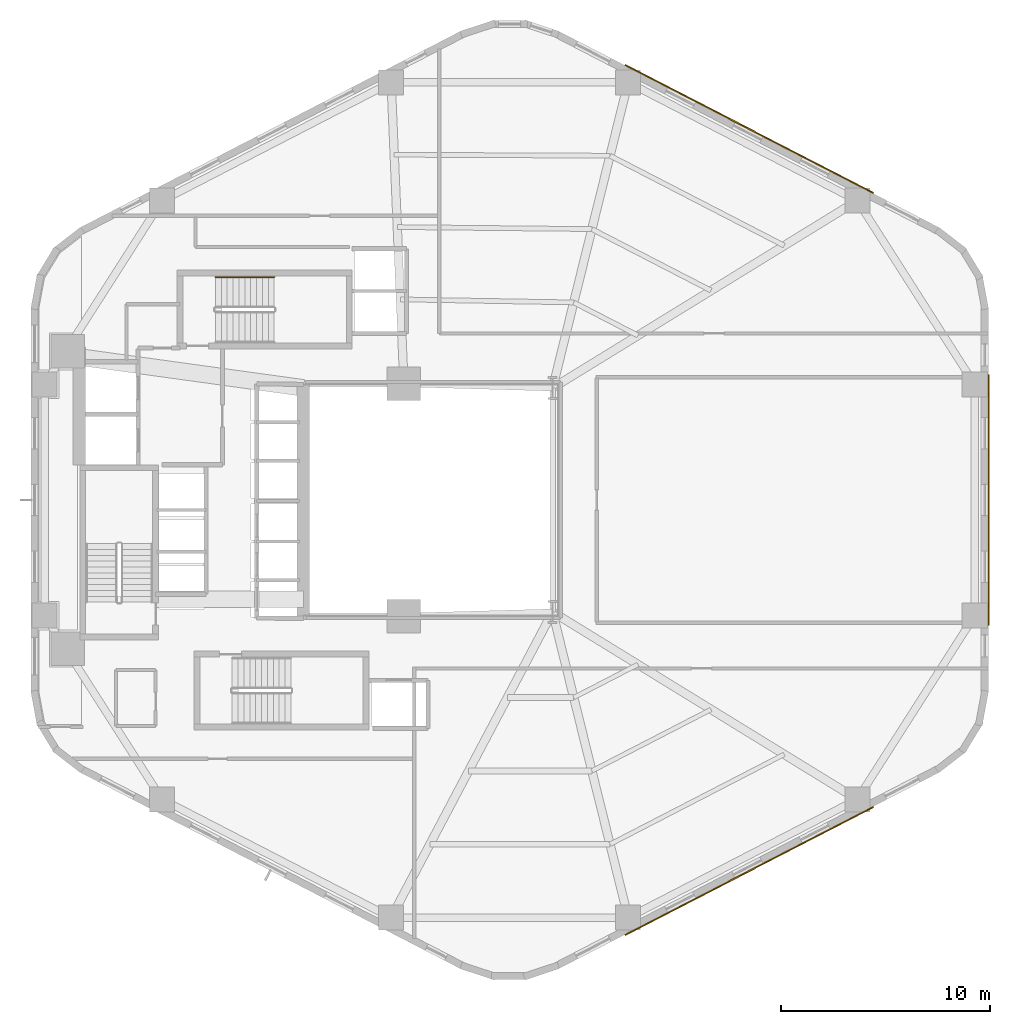
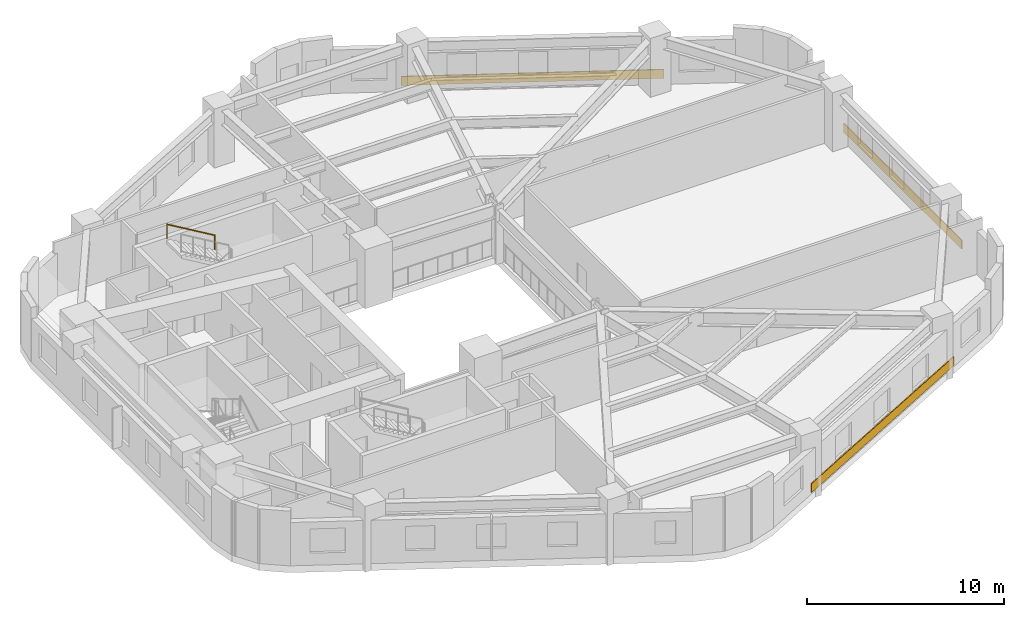
# One storey, part 7 of 7: 3 coverings, 1 railing.
"""IFC4 building model written with IfcOpenShell, lengths in metres."""

from ifc_helpers import new_model, si_unit, direction, frame, origin, origin_2d, place, context, subcontext, project, spatial, rectangle, circle, extrude, material, layer, layer_set, type_object, element, save


model = new_model("IFC4")

# Units and contexts
model_context = context("Model", 3, precision=1e-05, world=origin(), true_north=direction((0.0, 1.0)))
body_context = subcontext(model_context, "Body", "Model", "MODEL_VIEW")
ifc_project = project(units=[si_unit("LENGTHUNIT", "METRE"), si_unit("AREAUNIT", "SQUARE_METRE"), si_unit("VOLUMEUNIT", "CUBIC_METRE"), si_unit("PLANEANGLEUNIT", "RADIAN"), si_unit("MASSUNIT", "GRAM", prefix="KILO"), si_unit("THERMODYNAMICTEMPERATUREUNIT", "KELVIN"), si_unit("POWERUNIT", "WATT")], contexts=[model_context])

# Site, building, storey
site_placement = place(None, origin())
site = spatial("IfcSite", under=ifc_project, at=site_placement, CompositionType="ELEMENT")
building_placement = place(site_placement, origin())
building = spatial("IfcBuilding", under=site, at=building_placement, Name="Skarre Station Tower", CompositionType="ELEMENT")
storey_placement = place(building_placement, frame((0.0, 0.0, 27.0)))
storey = spatial("IfcBuildingStorey", under=building, at=storey_placement, Name="L06", CompositionType="ELEMENT", Elevation=27.0)

# Railing
ifc_material_1 = material(Name="Powder-Coated Tubular Steel", Category="steel")
railing_type = type_object("IfcRailingType", Name="Painted Steel Ramp & Stair Handrail 920", PredefinedType="HANDRAIL", material=ifc_material_1)
railing_placement = place(storey_placement, frame((26.14990234375, 34.64990234375, 1.990966796875)))
element("IfcRailing", 1, at=railing_placement, inside=storey, type_object=railing_type, Name="L06 ST-3 stair handrail 2", PredefinedType="HANDRAIL", context=body_context, shape_type="SweptSolid", body=[
    extrude(circle(Radius=0.02392578125, at=origin_2d()), frame((0.0, 0.0, 0.8759765625), z_axis=(-0.860319559791, 0.0, 0.509755093197), x_axis=(0.0, -1.0, 0.0)), (0.0, 0.0, 1.0), 3.25439453125),
    extrude(circle(Radius=0.02099609375, at=origin_2d()), origin(), (0.0, 0.0, 1.0), 0.851806640625),
    extrude(circle(Radius=0.02099609375, at=origin_2d()), frame((-2.7998046875, 0.0, 1.658935546875)), (0.0, 0.0, 1.0), 0.851806640625),
])

# Coverings
ifc_material_2 = material(Name="Honed Pale Nordic Granite Cladding", Category="masonry")
ifc_layer = layer(ifc_material_2, 0.06005859375, Name="Honed Pale Nordic Granite Cladding")
ifc_layer_set = layer_set([ifc_layer], Name="Honed Pale Nordic Granite Cladding")
covering_type = type_object("IfcCoveringType", Name="Precast Pier Spandrel Reveal Cladding 60", PredefinedType="CLADDING", material=ifc_layer_set)
for number, where, z_axis, x_axis, name in (
    (2, (48.843017578125, 41.721923828125, 0.14501953125), (0.0, 0.0, 1.0), (-0.888633242003, 0.458618535612, 0.0), "L06 Facet 0 Granite Spandrel Cladding"),
    (3, (48.843017578125, 6.278076171875, 0.14501953125), (0.0, 0.0, 1.0), (0.888633242003, 0.458618535612, 0.0), "L06 Facet 4 Granite Spandrel Cladding"),
):
    element("IfcCovering", number, at=place(storey_placement, frame(where, z_axis=z_axis, x_axis=x_axis)), inside=storey, type_object=covering_type, Name=name, PredefinedType="CLADDING", context=body_context, shape_type="SweptSolid", body=[
        extrude(rectangle(XDim=13.344970703125, YDim=0.06005859375, at=origin_2d()), origin(), (0.0, 0.0, 1.0), 0.550048828125),
    ])
covering_placement = place(storey_placement, frame((60.2880859375, 24.0, 0.14501953125), z_axis=(0.0, 0.0, 1.0), x_axis=(0.0, 1.0, 0.0)))
element("IfcCovering", 4, at=covering_placement, inside=storey, type_object=covering_type, Name="L06 Facet 5 Granite Spandrel Cladding", PredefinedType="CLADDING", context=body_context, shape_type="SweptSolid", body=[
    extrude(rectangle(XDim=11.962890625, YDim=0.06005859375, at=origin_2d()), origin(), (0.0, 0.0, 1.0), 0.550048828125),
])

save(model, "model.ifc")
